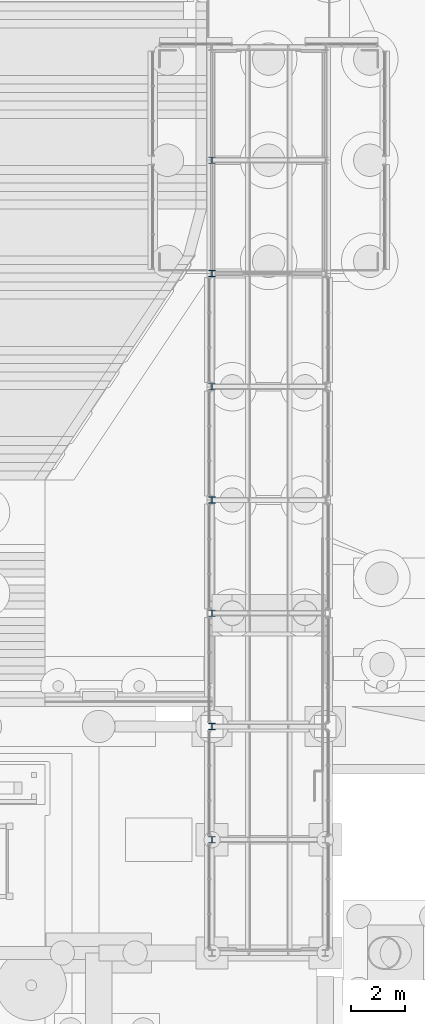
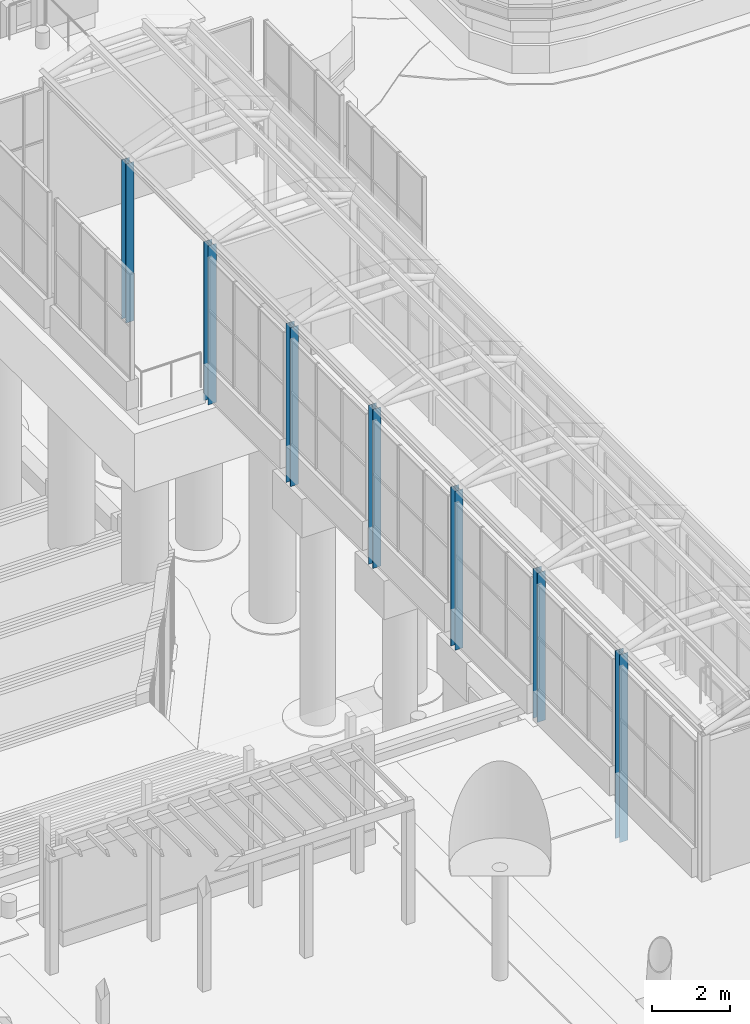
# One storey, part 32 of 222: 7 columns.
"""IFC4 building model written with IfcOpenShell, lengths in metres."""

from ifc_helpers import new_model, si_unit, direction, frame, origin, origin_2d, place, context, subcontext, project, spatial, i_section, extrude, material, material_profile, profile_set, type_object, element, save


model = new_model("IFC4")

# Units and contexts
model_context = context("Model", 3, precision=1e-05, world=origin(), true_north=direction((0.0, 1.0)))
body_context = subcontext(model_context, "Body", "Model", "MODEL_VIEW")
ifc_project = project(units=[si_unit("LENGTHUNIT", "METRE"), si_unit("AREAUNIT", "SQUARE_METRE"), si_unit("VOLUMEUNIT", "CUBIC_METRE"), si_unit("PLANEANGLEUNIT", "RADIAN"), si_unit("MASSUNIT", "GRAM", prefix="KILO")], contexts=[model_context])

# Site, building, storey
site_placement = place(None, origin())
site = spatial("IfcSite", under=ifc_project, at=site_placement, CompositionType="ELEMENT")
building_placement = place(site_placement, origin())
building = spatial("IfcBuilding", under=site, at=building_placement, Name="Sava Quay Ferry Terminal", CompositionType="ELEMENT")
storey_placement = place(building_placement, origin())
storey = spatial("IfcBuildingStorey", under=building, at=storey_placement, Name="L00", CompositionType="ELEMENT", Elevation=0.0)

# Columns
ifc_material = material(Name="Steel S355", Category="steel")
ifc_material_profile = material_profile(ifc_material, i_section(OverallWidth=0.239990234375, OverallDepth=0.22998046875, WebThickness=0.007568359375, FlangeThickness=0.011962890625, at=origin_2d()), Name="HE 240 A")
ifc_profile_set = profile_set([ifc_material_profile], Name="Steel S355")
column_type = type_object("IfcColumnType", Name="Column HE 240 A", PredefinedType="COLUMN", material=ifc_profile_set)
column_1_placement = place(storey_placement, frame((46.199951171875, 113.39990234375, -1.35009765625), z_axis=(0.0, 0.0, 1.0), x_axis=(1.0, 0.0, 0.0)))
element("IfcColumn", 1, at=column_1_placement, inside=storey, type_object=column_type, Name="Gallery post B1 113.4", PredefinedType="COLUMN", context=body_context, shape_type="SweptSolid", body=[
    extrude(i_section(OverallWidth=0.239990234375, OverallDepth=0.22998046875, WebThickness=0.007568359375, FlangeThickness=0.011962890625, at=origin_2d()), origin(), (0.0, 0.0, 1.0), 5.85009765625),
])
column_2_placement = place(storey_placement, frame((46.199951171875, 117.60009765625, -0.14990234375), z_axis=(0.0, 0.0, 1.0), x_axis=(1.0, 0.0, 0.0)))
element("IfcColumn", 2, at=column_2_placement, inside=storey, type_object=column_type, Name="Gallery post B1 117.6", PredefinedType="COLUMN", context=body_context, shape_type="SweptSolid", body=[
    extrude(i_section(OverallWidth=0.239990234375, OverallDepth=0.22998046875, WebThickness=0.007568359375, FlangeThickness=0.011962890625, at=origin_2d()), origin(), (0.0, 0.0, 1.0), 4.64990234375),
])
for number, where, z_axis, x_axis, name in (
    (3, (46.199951171875, 121.800048828125, -0.449951171875), (0.0, 0.0, 1.0), (1.0, 0.0, 0.0), "Gallery post B1 121.8"),
    (4, (46.199951171875, 126.0, -0.449951171875), (0.0, 0.0, 1.0), (1.0, 0.0, 0.0), "Gallery post B1 126"),
    (5, (46.199951171875, 130.199951171875, -0.449951171875), (0.0, 0.0, 1.0), (1.0, 0.0, 0.0), "Gallery post B1 130.2"),
    (6, (46.199951171875, 134.39990234375, -0.449951171875), (0.0, 0.0, 1.0), (1.0, 0.0, 0.0), "Gallery post B1 134.4"),
    (7, (46.199951171875, 138.60009765625, -0.449951171875), (0.0, 0.0, 1.0), (1.0, 0.0, 0.0), "Gallery post B1 138.6"),
):
    element("IfcColumn", number, at=place(storey_placement, frame(where, z_axis=z_axis, x_axis=x_axis)), inside=storey, type_object=column_type, Name=name, PredefinedType="COLUMN", context=body_context, shape_type="SweptSolid", body=[
        extrude(i_section(OverallWidth=0.239990234375, OverallDepth=0.22998046875, WebThickness=0.007568359375, FlangeThickness=0.011962890625, at=origin_2d()), origin(), (0.0, 0.0, 1.0), 4.949951171875),
    ])

save(model, "model.ifc")
